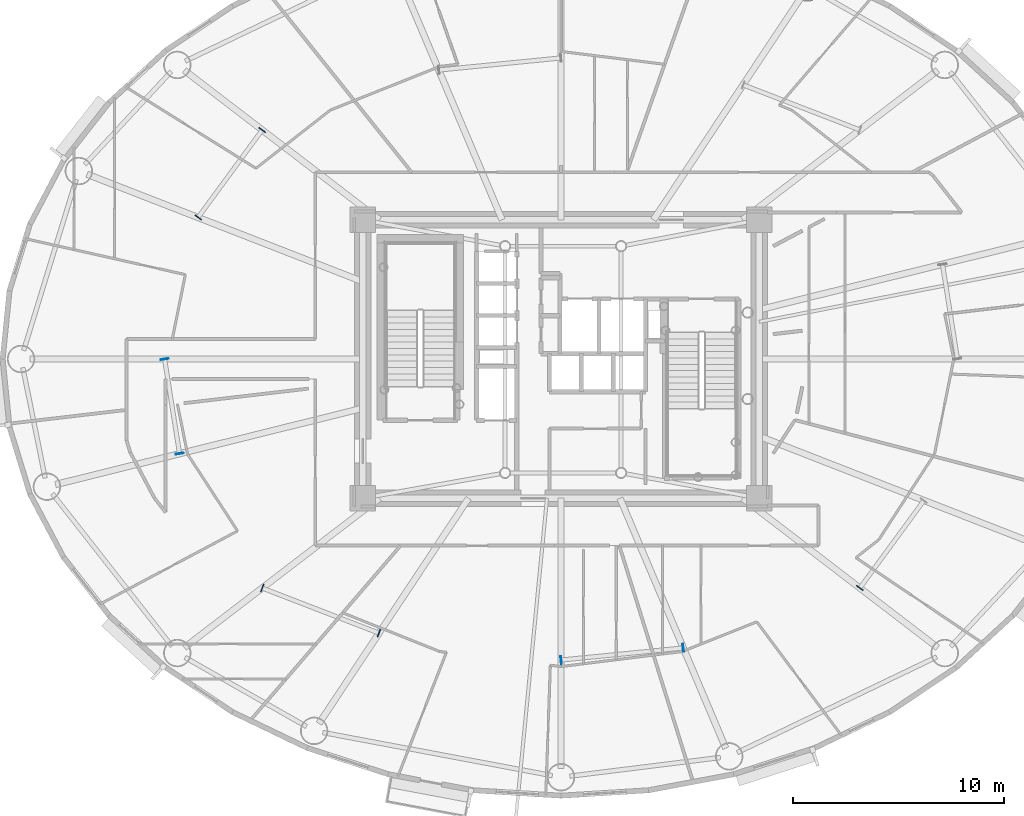
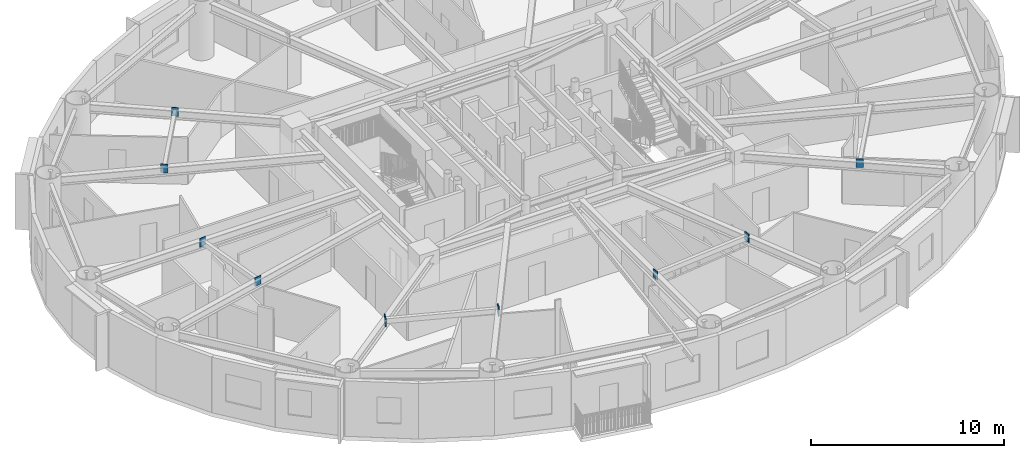
# One storey, part 6 of 19: 9 plates.
"""IFC4 building model written with IfcOpenShell, lengths in metres."""

from ifc_helpers import new_model, si_unit, direction, frame, origin, origin_2d, place, context, subcontext, project, spatial, rectangle, extrude, source, transform, mapped, material, layer, layer_set, type_object, element, save


model = new_model("IFC4")

# Units and contexts
model_context = context("Model", 3, precision=1e-05, world=origin(), true_north=direction((0.0, 1.0)))
body_context = subcontext(model_context, "Body", "Model", "MODEL_VIEW")
ifc_project = project(units=[si_unit("LENGTHUNIT", "METRE"), si_unit("AREAUNIT", "SQUARE_METRE"), si_unit("VOLUMEUNIT", "CUBIC_METRE"), si_unit("PLANEANGLEUNIT", "RADIAN"), si_unit("MASSUNIT", "GRAM", prefix="KILO")], contexts=[model_context])

# Site, building, storey
site_placement = place(None, origin())
site = spatial("IfcSite", under=ifc_project, at=site_placement, CompositionType="ELEMENT")
building_placement = place(site_placement, origin())
building = spatial("IfcBuilding", under=site, at=building_placement, Name="Linh Dai School and Residence Tower", CompositionType="ELEMENT")
storey_placement = place(building_placement, frame((0.0, 0.0, 174.89990234375)))
storey = spatial("IfcBuildingStorey", under=building, at=storey_placement, Name="L42", CompositionType="ELEMENT", Elevation=174.89990234375)

# Plates
ifc_material = material(Name="Structural Steel S355JR", Category="steel")
ifc_layer = layer(ifc_material, 0.0400390625)
ifc_layer_set = layer_set([ifc_layer], Name="Structural Steel S355JR")
plate_type = type_object("IfcPlateType", Name="PLT-GP1", PredefinedType="USERDEFINED", material=ifc_layer_set)
shared_shape = source(origin(), body_context, "Body", "SweptSolid", [
    extrude(rectangle(XDim=0.0400390625, YDim=0.3798828125, at=origin_2d()), origin(), (0.0, 0.0, 1.0), 0.5400390625),
])
for number, where, z_axis, x_axis, name in (
    (1, (21.828125, 37.854248046875, 3.080078125), (0.0, 0.0, 1.0), (-0.590797317165, -0.806820010926, 0.0), "L42 Secondary Beam End Plate 04A"),
    (2, (18.794677734375, 33.71142578125, 3.080078125), (0.0, 0.0, 1.0), (-0.590797317165, -0.806820010926, 0.0), "L42 Secondary Beam End Plate 04B"),
    (3, (17.204833984375, 26.9951171875, 3.080078125), (0.0, 0.0, 1.0), (0.156309354655, -0.987708148011, 0.0), "L42 Secondary Beam End Plate 05A"),
    (4, (17.9140625, 22.513427734375, 3.080078125), (0.0, 0.0, 1.0), (0.156309354655, -0.987708148011, 0.0), "L42 Secondary Beam End Plate 05B"),
    (5, (21.8359375, 16.139892578125, 3.080078125), (0.0, 0.0, 1.0), (0.932822787929, -0.36033546359, 0.0), "L42 Secondary Beam End Plate 06A"),
    (6, (27.36572265625, 14.00390625, 3.080078125), (0.0, 0.0, 1.0), (0.932822787929, -0.36033546359, 0.0), "L42 Secondary Beam End Plate 06B"),
    (7, (36.0048828125, 12.72705078125, 3.080078125), (0.0, 0.0, 1.0), (0.995144649372, 0.098423202682, 0.0), "L42 Secondary Beam End Plate 07A"),
    (8, (41.79248046875, 13.299560546875, 3.080078125), (0.0, 0.0, 1.0), (0.995144649372, 0.098423202682, 0.0), "L42 Secondary Beam End Plate 07B"),
    (9, (50.171875, 16.145751953125, 3.080078125), (0.0, 0.0, 1.0), (0.590797317165, 0.806820010926, 0.0), "L42 Secondary Beam End Plate 08A"),
):
    element("IfcPlate", number, at=place(storey_placement, frame(where, z_axis=z_axis, x_axis=x_axis)), inside=storey, type_object=plate_type, Name=name, ObjectType="GUSSET PLATE", PredefinedType="USERDEFINED", context=body_context, shape_type="MappedRepresentation", body=[
        mapped(shared_shape, transform((0.0, 0.0, 0.0), x_axis=(1.0, 0.0, 0.0), y_axis=(0.0, 1.0, 0.0), z_axis=(0.0, 0.0, 1.0), scale=1.0)),
    ])

save(model, "model.ifc")
